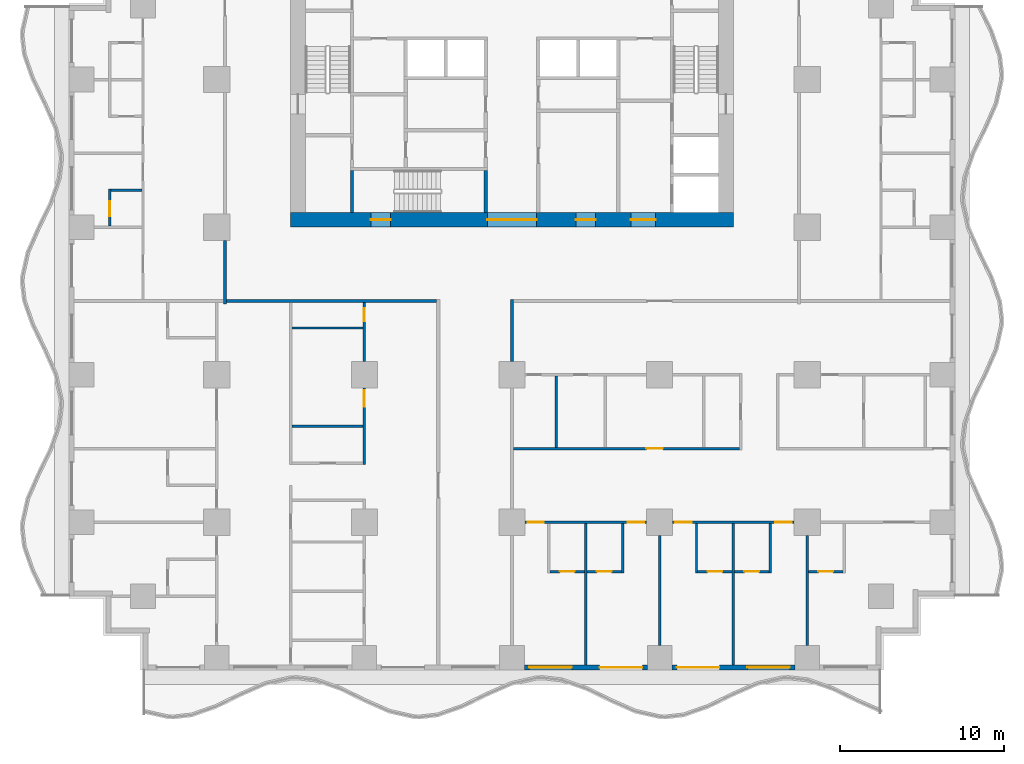
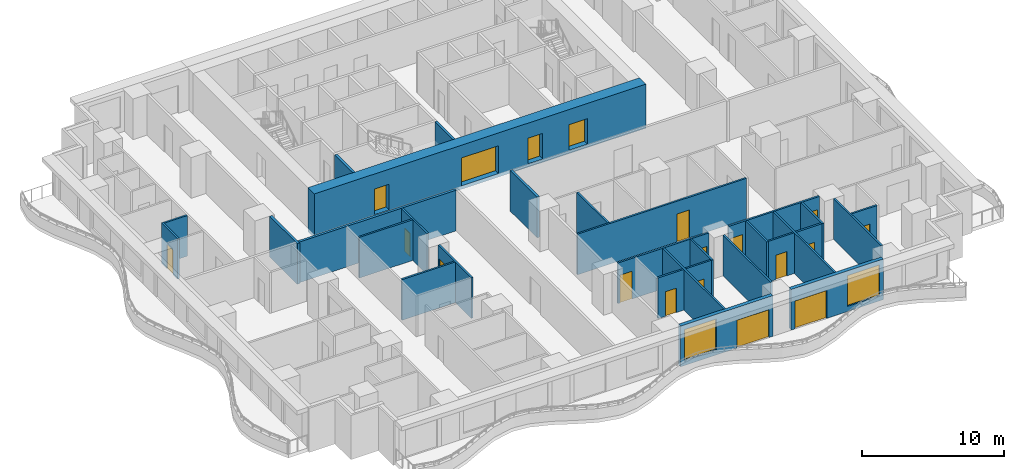
# One storey, part 3 of 14: 30 walls, 19 doors, 2 windows, 21 openings.
"""IFC4 building model written with IfcOpenShell, lengths in metres."""

from ifc_helpers import new_model, si_unit, direction, frame, frame_2d, origin, place, context, subcontext, project, spatial, rectangle, extrude, material, layer, layer_set, type_object, element, fill, save


model = new_model("IFC4")

# Units and contexts
model_context = context("Model", 3, precision=1e-05, world=origin(), true_north=direction((0.0, 1.0)))
body_context = subcontext(model_context, "Body", "Model", "MODEL_VIEW")
ifc_project = project(units=[si_unit("LENGTHUNIT", "METRE"), si_unit("AREAUNIT", "SQUARE_METRE"), si_unit("VOLUMEUNIT", "CUBIC_METRE"), si_unit("PLANEANGLEUNIT", "RADIAN"), si_unit("MASSUNIT", "GRAM", prefix="KILO")], contexts=[model_context])

# Site, building, storey
site_placement = place(None, origin())
site = spatial("IfcSite", under=ifc_project, at=site_placement, CompositionType="ELEMENT")
building_placement = place(site_placement, origin())
building = spatial("IfcBuilding", under=site, at=building_placement, Name="Orbiselva Terraces", CompositionType="ELEMENT")
storey_placement = place(building_placement, frame((0.0, 0.0, 18.8)))
storey = spatial("IfcBuildingStorey", under=building, at=storey_placement, Name="L04", CompositionType="ELEMENT", Elevation=18.8)

# Wall, openings, doors
ifc_material_1 = material(Name="Concrete C80/95", Category="concrete")
ifc_layer_1 = layer(ifc_material_1, 0.9)
ifc_layer_set_1 = layer_set([ifc_layer_1], Name="Concrete C80/95")
wall_type_1 = type_object("IfcWallType", Name="CORE WALL 900", PredefinedType="SHEAR", material=ifc_layer_set_1)
wall_1_placement = place(storey_placement, frame((-13.5, 4.95, -0.3), z_axis=(0.0, 0.0, 1.0), x_axis=(1.0, 0.0, 0.0)))
wall_1 = element("IfcWall", 1, at=wall_1_placement, inside=storey, type_object=wall_type_1, Name="Core wall L04 south", PredefinedType="SHEAR", context=body_context, shape_type="SweptSolid", body=[
    extrude(rectangle(XDim=27.0, YDim=0.9, at=frame_2d((13.5, 0.0))), origin(), (0.0, 0.0, 1.0), 3.8),
])
opening_1_placement = place(wall_1_placement, frame((12.0, 0.0, 0.3)))
opening_1 = element("IfcOpeningElement", 2, at=opening_1_placement, cuts=wall_1, Name="Opening DL3000", PredefinedType="OPENING", context=body_context, shape_type="SweptSolid", body=[
    extrude(rectangle(XDim=3.0, YDim=2.4, at=frame_2d((1.5, 1.2))), frame((0.0, 0.46, 0.0), z_axis=(0.0, -1.0, 0.0), x_axis=(1.0, 0.0, 0.0)), (0.0, 0.0, 1.0), 0.92),
])
opening_2_placement = place(wall_1_placement, frame((4.9, 0.0, 0.3)))
opening_2 = element("IfcOpeningElement", 3, at=opening_2_placement, cuts=wall_1, Name="Opening DS1200", PredefinedType="OPENING", context=body_context, shape_type="SweptSolid", body=[
    extrude(rectangle(XDim=1.2, YDim=2.2, at=frame_2d((0.6, 1.1))), frame((0.0, 0.46, 0.0), z_axis=(0.0, -1.0, 0.0), x_axis=(1.0, 0.0, 0.0)), (0.0, 0.0, 1.0), 0.92),
])
opening_3_placement = place(wall_1_placement, frame((20.75, 0.0, 0.3)))
opening_3 = element("IfcOpeningElement", 4, at=opening_3_placement, cuts=wall_1, Name="Opening DF1500", PredefinedType="OPENING", context=body_context, shape_type="SweptSolid", body=[
    extrude(rectangle(XDim=1.5, YDim=2.2, at=frame_2d((0.75, 1.1))), frame((0.0, 0.46, 0.0), z_axis=(0.0, -1.0, 0.0), x_axis=(1.0, 0.0, 0.0)), (0.0, 0.0, 1.0), 0.92),
])
opening_4_placement = place(wall_1_placement, frame((17.4, 0.0, 0.3)))
opening_4 = element("IfcOpeningElement", 5, at=opening_4_placement, cuts=wall_1, Name="Opening DV1200", PredefinedType="OPENING", context=body_context, shape_type="SweptSolid", body=[
    extrude(rectangle(XDim=1.2, YDim=2.2, at=frame_2d((0.6, 1.1))), frame((0.0, 0.46, 0.0), z_axis=(0.0, -1.0, 0.0), x_axis=(1.0, 0.0, 0.0)), (0.0, 0.0, 1.0), 0.92),
])
ifc_material_2 = material(Name="Steel fire door", Category="steel")
door_type_1 = type_object("IfcDoorType", Name="FFL DOOR 1500", OperationType="DOUBLE_DOOR_SINGLE_SWING", PredefinedType="DOOR", material=ifc_material_2)
door_1_placement = place(opening_3_placement, frame((1.5, 0.0, 0.0), z_axis=(0.0, 0.0, 1.0), x_axis=(-1.0, 0.0, 0.0)))
door_1 = element("IfcDoor", 6, at=door_1_placement, inside=storey, type_object=door_type_1, Name="L04 FIRE-FIGHTING LOBBY door", OperationType="DOUBLE_DOOR_SINGLE_SWING", OverallHeight=2.2, OverallWidth=1.5, PredefinedType="DOOR", context=body_context, shape_type="SweptSolid", body=[
    extrude(rectangle(XDim=1.5, YDim=2.2, at=frame_2d((0.75, 1.1))), frame((0.0, 0.025, 0.0), z_axis=(0.0, -1.0, 0.0), x_axis=(1.0, 0.0, 0.0)), (0.0, 0.0, 1.0), 0.05),
])
fill(opening_3, door_1)
door_type_2 = type_object("IfcDoorType", Name="LOBBY DOOR 3000", OperationType="DOUBLE_DOOR_SINGLE_SWING", PredefinedType="DOOR", material=ifc_material_2)
door_2_placement = place(opening_1_placement, frame((3.0, 0.0, 0.0), z_axis=(0.0, 0.0, 1.0), x_axis=(-1.0, 0.0, 0.0)))
door_2 = element("IfcDoor", 7, at=door_2_placement, inside=storey, type_object=door_type_2, Name="L04 LIFT LOBBY door", OperationType="DOUBLE_DOOR_SINGLE_SWING", OverallHeight=2.4, OverallWidth=3.0, PredefinedType="DOOR", context=body_context, shape_type="SweptSolid", body=[
    extrude(rectangle(XDim=3.0, YDim=2.4, at=frame_2d((1.5, 1.2))), frame((0.0, 0.025, 0.0), z_axis=(0.0, -1.0, 0.0), x_axis=(1.0, 0.0, 0.0)), (0.0, 0.0, 1.0), 0.05),
])
fill(opening_1, door_2)
door_type_3 = type_object("IfcDoorType", Name="SERVICE DOOR 1200", OperationType="NOTDEFINED", PredefinedType="DOOR", material=ifc_material_2)
door_3_placement = place(opening_4_placement, frame((1.2, 0.0, 0.0), z_axis=(0.0, 0.0, 1.0), x_axis=(-1.0, 0.0, 0.0)))
door_3 = element("IfcDoor", 8, at=door_3_placement, inside=storey, type_object=door_type_3, Name="L04 SERVICE ROOM door", OperationType="SINGLE_SWING_RIGHT", OverallHeight=2.2, OverallWidth=1.2, PredefinedType="DOOR", context=body_context, shape_type="SweptSolid", body=[
    extrude(rectangle(XDim=1.2, YDim=2.2, at=frame_2d((0.6, 1.1))), frame((0.0, 0.025, 0.0), z_axis=(0.0, -1.0, 0.0), x_axis=(1.0, 0.0, 0.0)), (0.0, 0.0, 1.0), 0.05),
])
fill(opening_4, door_3)
door_type_4 = type_object("IfcDoorType", Name="STAIR DOOR 1200", OperationType="NOTDEFINED", PredefinedType="DOOR", material=ifc_material_2)
door_4_placement = place(opening_2_placement, frame((1.2, 0.0, 0.0), z_axis=(0.0, 0.0, 1.0), x_axis=(-1.0, 0.0, 0.0)))
door_4 = element("IfcDoor", 9, at=door_4_placement, inside=storey, type_object=door_type_4, Name="L04 EXIT STAIR S3 door", OperationType="SINGLE_SWING_LEFT", OverallHeight=2.2, OverallWidth=1.2, PredefinedType="DOOR", context=body_context, shape_type="SweptSolid", body=[
    extrude(rectangle(XDim=1.2, YDim=2.2, at=frame_2d((0.6, 1.1))), frame((0.0, 0.025, 0.0), z_axis=(0.0, -1.0, 0.0), x_axis=(1.0, 0.0, 0.0)), (0.0, 0.0, 1.0), 0.05),
])
fill(opening_2, door_4)

# Walls
ifc_material_3 = material(Name="Concrete C60/75", Category="concrete")
ifc_layer_2 = layer(ifc_material_3, 0.2)
ifc_layer_set_2 = layer_set([ifc_layer_2], Name="Concrete C60/75")
wall_type_2 = type_object("IfcWallType", Name="CORE-WALL-SHEAR-200", PredefinedType="SHEAR", material=ifc_layer_set_2)
for number, where, z_axis, x_axis, name in (
    (10, (-9.75, 5.4, 0.0), (0.0, 0.0, 1.0), (0.0, 1.0, 0.0), "L04 core wall 03"),
    (11, (-1.6, 5.4, 0.0), (0.0, 0.0, 1.0), (0.0, 1.0, 0.0), "L04 core wall 24"),
):
    element("IfcWall", number, at=place(storey_placement, frame(where, z_axis=z_axis, x_axis=x_axis)), inside=storey, type_object=wall_type_2, Name=name, PredefinedType="SHEAR", context=body_context, shape_type="SweptSolid", body=[
        extrude(rectangle(XDim=2.55, YDim=0.2, at=frame_2d((1.275, 0.0))), origin(), (0.0, 0.0, 1.0), 3.5),
    ])

# Wall, openings, door, window
ifc_material_4 = material(Name="Terracotta cladding on masonry backing", Category="masonry")
ifc_layer_3 = layer(ifc_material_4, 0.3)
ifc_layer_set_3 = layer_set([ifc_layer_3], Name="Terracotta cladding on masonry backing")
wall_type_3 = type_object("IfcWallType", Name="ENV-WALL-TERRACOTTA-300", PredefinedType="SOLIDWALL", material=ifc_layer_set_3)
wall_2_placement = place(storey_placement, frame((8.25, -22.35, 0.0), z_axis=(0.0, 0.0, 1.0), x_axis=(-1.0, 0.0, 0.0)))
wall_2 = element("IfcWall", 12, at=wall_2_placement, inside=storey, type_object=wall_type_3, Name="Facade wall L04 S", PredefinedType="SOLIDWALL", context=body_context, shape_type="SweptSolid", body=[
    extrude(rectangle(XDim=7.5, YDim=0.3, at=frame_2d((3.75, 0.0))), origin(), (0.0, 0.0, 1.0), 3.5),
])
opening_5_placement = place(wall_2_placement, frame((4.6, 0.0, 0.45)))
opening_5 = element("IfcOpeningElement", 13, at=opening_5_placement, cuts=wall_2, Name="Opening WN1", PredefinedType="OPENING", context=body_context, shape_type="SweptSolid", body=[
    extrude(rectangle(XDim=2.6, YDim=2.65, at=frame_2d((1.3, 1.325))), frame((0.0, 0.16, 0.0), z_axis=(0.0, -1.0, 0.0), x_axis=(1.0, 0.0, 0.0)), (0.0, 0.0, 1.0), 0.32),
])
opening_6_placement = place(wall_2_placement, frame((0.3, 0.0, 0.0)))
opening_6 = element("IfcOpeningElement", 14, at=opening_6_placement, cuts=wall_2, Name="Opening Z1-A-E13", PredefinedType="OPENING", context=body_context, shape_type="SweptSolid", body=[
    extrude(rectangle(XDim=2.6, YDim=2.4, at=frame_2d((1.3, 1.2))), frame((0.0, 0.16, 0.0), z_axis=(0.0, -1.0, 0.0), x_axis=(1.0, 0.0, 0.0)), (0.0, 0.0, 1.0), 0.32),
])
ifc_material_5 = material(Name="Clear low-e glazing in aluminium frame", Category="aluminium")
door_type_5 = type_object("IfcDoorType", Name="BALCONY DOOR 2600 X 2400", OperationType="DOUBLE_DOOR_SLIDING", PredefinedType="DOOR", material=ifc_material_5)
door_5_placement = place(opening_6_placement, origin())
door_5 = element("IfcDoor", 15, at=door_5_placement, inside=storey, type_object=door_type_5, Name="Z1-A-E13", OperationType="SINGLE_SWING_LEFT", OverallHeight=2.4, OverallWidth=2.6, PredefinedType="DOOR", context=body_context, shape_type="SweptSolid", body=[
    extrude(rectangle(XDim=2.6, YDim=2.4, at=frame_2d((1.3, 1.2))), frame((0.0, 0.025, 0.0), z_axis=(0.0, -1.0, 0.0), x_axis=(1.0, 0.0, 0.0)), (0.0, 0.0, 1.0), 0.05),
])
fill(opening_6, door_5)
window_type = type_object("IfcWindowType", Name="WINDOW 2600 X 2650 S450", PartitioningType="TRIPLE_PANEL_VERTICAL", PredefinedType="WINDOW", material=ifc_material_5)
window_1_placement = place(opening_5_placement, origin())
window_1 = element("IfcWindow", 16, at=window_1_placement, inside=storey, type_object=window_type, Name="Window L04 S", OverallHeight=2.65, OverallWidth=2.6, PartitioningType="SINGLE_PANEL", PredefinedType="WINDOW", context=body_context, shape_type="SweptSolid", body=[
    extrude(rectangle(XDim=2.6, YDim=2.65, at=frame_2d((1.3, 1.325))), frame((0.0, 0.03, 0.0), z_axis=(0.0, -1.0, 0.0), x_axis=(1.0, 0.0, 0.0)), (0.0, 0.0, 1.0), 0.06),
])
fill(opening_5, window_1)

wall_3_placement = place(storey_placement, frame((17.25, -22.35, 0.0), z_axis=(0.0, 0.0, 1.0), x_axis=(-1.0, 0.0, 0.0)))
wall_3 = element("IfcWall", 17, at=wall_3_placement, inside=storey, type_object=wall_type_3, Name="Facade wall L04 S", PredefinedType="SOLIDWALL", context=body_context, shape_type="SweptSolid", body=[
    extrude(rectangle(XDim=7.5, YDim=0.3, at=frame_2d((3.75, 0.0))), origin(), (0.0, 0.0, 1.0), 3.5),
])
opening_7_placement = place(wall_3_placement, frame((4.6, 0.0, 0.0)))
opening_7 = element("IfcOpeningElement", 18, at=opening_7_placement, cuts=wall_3, Name="Opening Z1-A-E03", PredefinedType="OPENING", context=body_context, shape_type="SweptSolid", body=[
    extrude(rectangle(XDim=2.6, YDim=2.4, at=frame_2d((1.3, 1.2))), frame((0.0, 0.16, 0.0), z_axis=(0.0, -1.0, 0.0), x_axis=(1.0, 0.0, 0.0)), (0.0, 0.0, 1.0), 0.32),
])
opening_8_placement = place(wall_3_placement, frame((0.3, 0.0, 0.45)))
opening_8 = element("IfcOpeningElement", 19, at=opening_8_placement, cuts=wall_3, Name="Opening WN1", PredefinedType="OPENING", context=body_context, shape_type="SweptSolid", body=[
    extrude(rectangle(XDim=2.6, YDim=2.65, at=frame_2d((1.3, 1.325))), frame((0.0, 0.16, 0.0), z_axis=(0.0, -1.0, 0.0), x_axis=(1.0, 0.0, 0.0)), (0.0, 0.0, 1.0), 0.32),
])
door_6_placement = place(opening_7_placement, origin())
door_6 = element("IfcDoor", 20, at=door_6_placement, inside=storey, type_object=door_type_5, Name="Z1-A-E03", OperationType="SINGLE_SWING_LEFT", OverallHeight=2.4, OverallWidth=2.6, PredefinedType="DOOR", context=body_context, shape_type="SweptSolid", body=[
    extrude(rectangle(XDim=2.6, YDim=2.4, at=frame_2d((1.3, 1.2))), frame((0.0, 0.025, 0.0), z_axis=(0.0, -1.0, 0.0), x_axis=(1.0, 0.0, 0.0)), (0.0, 0.0, 1.0), 0.05),
])
fill(opening_7, door_6)
window_2_placement = place(opening_8_placement, origin())
window_2 = element("IfcWindow", 21, at=window_2_placement, inside=storey, type_object=window_type, Name="Window L04 S", OverallHeight=2.65, OverallWidth=2.6, PartitioningType="SINGLE_PANEL", PredefinedType="WINDOW", context=body_context, shape_type="SweptSolid", body=[
    extrude(rectangle(XDim=2.6, YDim=2.65, at=frame_2d((1.3, 1.325))), frame((0.0, 0.03, 0.0), z_axis=(0.0, -1.0, 0.0), x_axis=(1.0, 0.0, 0.0)), (0.0, 0.0, 1.0), 0.06),
])
fill(opening_8, window_2)

# Walls
ifc_material_6 = material(Name="Plasterboard on steel stud partition", Category="steel")
ifc_layer_4 = layer(ifc_material_6, 0.2)
ifc_layer_set_4 = layer_set([ifc_layer_4], Name="Plasterboard on steel stud partition")
wall_type_4 = type_object("IfcWallType", Name="UNIT-ENTRANCE-WALL-200", PredefinedType="PARTITIONING", material=ifc_layer_set_4)
wall_4_placement = place(storey_placement, frame((-17.4, 0.0, 0.0), z_axis=(0.0, 0.0, 1.0), x_axis=(1.0, 0.0, 0.0)))
element("IfcWall", 22, at=wall_4_placement, inside=storey, type_object=wall_type_4, Name="PARTITION L04-029", PredefinedType="PARTITIONING", context=body_context, shape_type="SweptSolid", body=[
    extrude(rectangle(XDim=12.8, YDim=0.2, at=frame_2d((6.4, 0.0))), origin(), (0.0, 0.0, 1.0), 3.5),
])
wall_5_placement = place(storey_placement, frame((-17.5, -0.2, 0.0), z_axis=(0.0, 0.0, 1.0), x_axis=(0.0, 1.0, 0.0)))
element("IfcWall", 23, at=wall_5_placement, inside=storey, type_object=wall_type_4, Name="PARTITION L04-057", PredefinedType="PARTITIONING", context=body_context, shape_type="SweptSolid", body=[
    extrude(rectangle(XDim=3.9, YDim=0.2, at=frame_2d((1.95, 0.0))), origin(), (0.0, 0.0, 1.0), 3.5),
])
wall_6_placement = place(storey_placement, frame((0.0, -3.7, 0.0), z_axis=(0.0, 0.0, 1.0), x_axis=(0.0, 1.0, 0.0)))
element("IfcWall", 24, at=wall_6_placement, inside=storey, type_object=wall_type_4, Name="PARTITION L04-069", PredefinedType="PARTITIONING", context=body_context, shape_type="SweptSolid", body=[
    extrude(rectangle(XDim=3.8, YDim=0.2, at=frame_2d((1.9, 0.0))), origin(), (0.0, 0.0, 1.0), 3.5),
])

# Wall, opening, door
ifc_layer_5 = layer(ifc_material_6, 0.15)
ifc_layer_set_5 = layer_set([ifc_layer_5], Name="Plasterboard on steel stud partition")
wall_type_5 = type_object("IfcWallType", Name="UNIT-PARTITION-150", PredefinedType="PARTITIONING", material=ifc_layer_set_5)
wall_7_placement = place(storey_placement, frame((2.325, -16.5, 0.0), z_axis=(0.0, 0.0, 1.0), x_axis=(1.0, 0.0, 0.0)))
wall_7 = element("IfcWall", 25, at=wall_7_placement, inside=storey, type_object=wall_type_5, Name="PARTITION L04-005", PredefinedType="PARTITIONING", context=body_context, shape_type="SweptSolid", body=[
    extrude(rectangle(XDim=2.1, YDim=0.15, at=frame_2d((1.05, 0.0))), origin(), (0.0, 0.0, 1.0), 3.5),
])
opening_9_placement = place(wall_7_placement, frame((0.6, 0.0, 0.0)))
opening_9 = element("IfcOpeningElement", 26, at=opening_9_placement, cuts=wall_7, Name="Opening Z1-A-41", PredefinedType="OPENING", context=body_context, shape_type="SweptSolid", body=[
    extrude(rectangle(XDim=0.9, YDim=2.1, at=frame_2d((0.45, 1.05))), frame((0.0, 0.085, 0.0), z_axis=(0.0, -1.0, 0.0), x_axis=(1.0, 0.0, 0.0)), (0.0, 0.0, 1.0), 0.17),
])
ifc_material_7 = material(Name="Painted timber door leaf", Category="wood")
door_type_6 = type_object("IfcDoorType", Name="BATH DOOR 900", OperationType="NOTDEFINED", PredefinedType="DOOR", material=ifc_material_7)
door_7_placement = place(opening_9_placement, origin())
door_7 = element("IfcDoor", 27, at=door_7_placement, inside=storey, type_object=door_type_6, Name="Z1-A-41", OperationType="SINGLE_SWING_RIGHT", OverallHeight=2.1, OverallWidth=0.9, PredefinedType="DOOR", context=body_context, shape_type="SweptSolid", body=[
    extrude(rectangle(XDim=0.9, YDim=2.1, at=frame_2d((0.45, 1.05))), frame((0.0, 0.025, 0.0), z_axis=(0.0, -1.0, 0.0), x_axis=(1.0, 0.0, 0.0)), (0.0, 0.0, 1.0), 0.05),
])
fill(opening_9, door_7)

wall_8_placement = place(storey_placement, frame((4.575, -16.5, 0.0), z_axis=(0.0, 0.0, 1.0), x_axis=(1.0, 0.0, 0.0)))
wall_8 = element("IfcWall", 28, at=wall_8_placement, inside=storey, type_object=wall_type_5, Name="PARTITION L04-006", PredefinedType="PARTITIONING", context=body_context, shape_type="SweptSolid", body=[
    extrude(rectangle(XDim=2.1, YDim=0.15, at=frame_2d((1.05, 0.0))), origin(), (0.0, 0.0, 1.0), 3.5),
])
opening_10_placement = place(wall_8_placement, frame((0.6, 0.0, 0.0)))
opening_10 = element("IfcOpeningElement", 29, at=opening_10_placement, cuts=wall_8, Name="Opening Z1-A-43", PredefinedType="OPENING", context=body_context, shape_type="SweptSolid", body=[
    extrude(rectangle(XDim=0.9, YDim=2.1, at=frame_2d((0.45, 1.05))), frame((0.0, 0.085, 0.0), z_axis=(0.0, -1.0, 0.0), x_axis=(1.0, 0.0, 0.0)), (0.0, 0.0, 1.0), 0.17),
])
door_8_placement = place(opening_10_placement, origin())
door_8 = element("IfcDoor", 30, at=door_8_placement, inside=storey, type_object=door_type_6, Name="Z1-A-43", OperationType="SINGLE_SWING_LEFT", OverallHeight=2.1, OverallWidth=0.9, PredefinedType="DOOR", context=body_context, shape_type="SweptSolid", body=[
    extrude(rectangle(XDim=0.9, YDim=2.1, at=frame_2d((0.45, 1.05))), frame((0.0, 0.025, 0.0), z_axis=(0.0, -1.0, 0.0), x_axis=(1.0, 0.0, 0.0)), (0.0, 0.0, 1.0), 0.05),
])
fill(opening_10, door_8)

wall_9_placement = place(storey_placement, frame((11.325, -16.5, 0.0), z_axis=(0.0, 0.0, 1.0), x_axis=(1.0, 0.0, 0.0)))
wall_9 = element("IfcWall", 31, at=wall_9_placement, inside=storey, type_object=wall_type_5, Name="PARTITION L04-007", PredefinedType="PARTITIONING", context=body_context, shape_type="SweptSolid", body=[
    extrude(rectangle(XDim=2.1, YDim=0.15, at=frame_2d((1.05, 0.0))), origin(), (0.0, 0.0, 1.0), 3.5),
])
opening_11_placement = place(wall_9_placement, frame((0.6, 0.0, 0.0)))
opening_11 = element("IfcOpeningElement", 32, at=opening_11_placement, cuts=wall_9, Name="Opening Z1-A-45", PredefinedType="OPENING", context=body_context, shape_type="SweptSolid", body=[
    extrude(rectangle(XDim=0.9, YDim=2.1, at=frame_2d((0.45, 1.05))), frame((0.0, 0.085, 0.0), z_axis=(0.0, -1.0, 0.0), x_axis=(1.0, 0.0, 0.0)), (0.0, 0.0, 1.0), 0.17),
])
door_9_placement = place(opening_11_placement, origin())
door_9 = element("IfcDoor", 33, at=door_9_placement, inside=storey, type_object=door_type_6, Name="Z1-A-45", OperationType="SINGLE_SWING_LEFT", OverallHeight=2.1, OverallWidth=0.9, PredefinedType="DOOR", context=body_context, shape_type="SweptSolid", body=[
    extrude(rectangle(XDim=0.9, YDim=2.1, at=frame_2d((0.45, 1.05))), frame((0.0, 0.025, 0.0), z_axis=(0.0, -1.0, 0.0), x_axis=(1.0, 0.0, 0.0)), (0.0, 0.0, 1.0), 0.05),
])
fill(opening_11, door_9)

wall_10_placement = place(storey_placement, frame((13.575, -16.5, 0.0), z_axis=(0.0, 0.0, 1.0), x_axis=(1.0, 0.0, 0.0)))
wall_10 = element("IfcWall", 34, at=wall_10_placement, inside=storey, type_object=wall_type_5, Name="PARTITION L04-008", PredefinedType="PARTITIONING", context=body_context, shape_type="SweptSolid", body=[
    extrude(rectangle(XDim=2.1, YDim=0.15, at=frame_2d((1.05, 0.0))), origin(), (0.0, 0.0, 1.0), 3.5),
])
opening_12_placement = place(wall_10_placement, frame((0.6, 0.0, 0.0)))
opening_12 = element("IfcOpeningElement", 35, at=opening_12_placement, cuts=wall_10, Name="Opening Z1-A-47", PredefinedType="OPENING", context=body_context, shape_type="SweptSolid", body=[
    extrude(rectangle(XDim=0.9, YDim=2.1, at=frame_2d((0.45, 1.05))), frame((0.0, 0.085, 0.0), z_axis=(0.0, -1.0, 0.0), x_axis=(1.0, 0.0, 0.0)), (0.0, 0.0, 1.0), 0.17),
])
door_10_placement = place(opening_12_placement, origin())
door_10 = element("IfcDoor", 36, at=door_10_placement, inside=storey, type_object=door_type_6, Name="Z1-A-47", OperationType="SINGLE_SWING_LEFT", OverallHeight=2.1, OverallWidth=0.9, PredefinedType="DOOR", context=body_context, shape_type="SweptSolid", body=[
    extrude(rectangle(XDim=0.9, YDim=2.1, at=frame_2d((0.45, 1.05))), frame((0.0, 0.025, 0.0), z_axis=(0.0, -1.0, 0.0), x_axis=(1.0, 0.0, 0.0)), (0.0, 0.0, 1.0), 0.05),
])
fill(opening_12, door_10)

wall_11_placement = place(storey_placement, frame((18.075, -16.5, 0.0), z_axis=(0.0, 0.0, 1.0), x_axis=(1.0, 0.0, 0.0)))
wall_11 = element("IfcWall", 37, at=wall_11_placement, inside=storey, type_object=wall_type_5, Name="PARTITION L04-009", PredefinedType="PARTITIONING", context=body_context, shape_type="SweptSolid", body=[
    extrude(rectangle(XDim=2.1, YDim=0.15, at=frame_2d((1.05, 0.0))), origin(), (0.0, 0.0, 1.0), 3.5),
])
opening_13_placement = place(wall_11_placement, frame((0.6, 0.0, 0.0)))
opening_13 = element("IfcOpeningElement", 38, at=opening_13_placement, cuts=wall_11, Name="Opening Z1-A-49", PredefinedType="OPENING", context=body_context, shape_type="SweptSolid", body=[
    extrude(rectangle(XDim=0.9, YDim=2.1, at=frame_2d((0.45, 1.05))), frame((0.0, 0.085, 0.0), z_axis=(0.0, -1.0, 0.0), x_axis=(1.0, 0.0, 0.0)), (0.0, 0.0, 1.0), 0.17),
])
door_11_placement = place(opening_13_placement, origin())
door_11 = element("IfcDoor", 39, at=door_11_placement, inside=storey, type_object=door_type_6, Name="Z1-A-49", OperationType="SINGLE_SWING_LEFT", OverallHeight=2.1, OverallWidth=0.9, PredefinedType="DOOR", context=body_context, shape_type="SweptSolid", body=[
    extrude(rectangle(XDim=0.9, YDim=2.1, at=frame_2d((0.45, 1.05))), frame((0.0, 0.025, 0.0), z_axis=(0.0, -1.0, 0.0), x_axis=(1.0, 0.0, 0.0)), (0.0, 0.0, 1.0), 0.05),
])
fill(opening_13, door_11)

# Wall, openings, doors
wall_12_placement = place(storey_placement, frame((8.2, -13.5, 0.0), z_axis=(0.0, 0.0, 1.0), x_axis=(-1.0, 0.0, 0.0)))
wall_12 = element("IfcWall", 40, at=wall_12_placement, inside=storey, type_object=wall_type_5, Name="PARTITION L04-013", PredefinedType="PARTITIONING", context=body_context, shape_type="SweptSolid", body=[
    extrude(rectangle(XDim=7.4, YDim=0.15, at=frame_2d((3.7, 0.0))), origin(), (0.0, 0.0, 1.0), 3.5),
])
opening_14_placement = place(wall_12_placement, frame((6.25, 0.0, 0.0)))
opening_14 = element("IfcOpeningElement", 41, at=opening_14_placement, cuts=wall_12, Name="Opening Z1-A-40", PredefinedType="OPENING", context=body_context, shape_type="SweptSolid", body=[
    extrude(rectangle(XDim=1.0, YDim=2.4, at=frame_2d((0.5, 1.2))), frame((0.0, 0.085, 0.0), z_axis=(0.0, -1.0, 0.0), x_axis=(1.0, 0.0, 0.0)), (0.0, 0.0, 1.0), 0.17),
])
opening_15_placement = place(wall_12_placement, frame((0.15, 0.0, 0.0)))
opening_15 = element("IfcOpeningElement", 42, at=opening_15_placement, cuts=wall_12, Name="Opening Z1-A-42", PredefinedType="OPENING", context=body_context, shape_type="SweptSolid", body=[
    extrude(rectangle(XDim=1.0, YDim=2.4, at=frame_2d((0.5, 1.2))), frame((0.0, 0.085, 0.0), z_axis=(0.0, -1.0, 0.0), x_axis=(1.0, 0.0, 0.0)), (0.0, 0.0, 1.0), 0.17),
])
door_type_7 = type_object("IfcDoorType", Name="ROOM DOOR 1000", OperationType="NOTDEFINED", PredefinedType="DOOR", material=ifc_material_7)
door_12_placement = place(opening_14_placement, origin())
door_12 = element("IfcDoor", 43, at=door_12_placement, inside=storey, type_object=door_type_7, Name="Z1-A-40", OperationType="SINGLE_SWING_RIGHT", OverallHeight=2.4, OverallWidth=1.0, PredefinedType="DOOR", context=body_context, shape_type="SweptSolid", body=[
    extrude(rectangle(XDim=1.0, YDim=2.4, at=frame_2d((0.5, 1.2))), frame((0.0, 0.025, 0.0), z_axis=(0.0, -1.0, 0.0), x_axis=(1.0, 0.0, 0.0)), (0.0, 0.0, 1.0), 0.05),
])
fill(opening_14, door_12)
door_13_placement = place(opening_15_placement, origin())
door_13 = element("IfcDoor", 44, at=door_13_placement, inside=storey, type_object=door_type_7, Name="Z1-A-42", OperationType="SINGLE_SWING_LEFT", OverallHeight=2.4, OverallWidth=1.0, PredefinedType="DOOR", context=body_context, shape_type="SweptSolid", body=[
    extrude(rectangle(XDim=1.0, YDim=2.4, at=frame_2d((0.5, 1.2))), frame((0.0, 0.025, 0.0), z_axis=(0.0, -1.0, 0.0), x_axis=(1.0, 0.0, 0.0)), (0.0, 0.0, 1.0), 0.05),
])
fill(opening_15, door_13)

wall_13_placement = place(storey_placement, frame((17.2, -13.5, 0.0), z_axis=(0.0, 0.0, 1.0), x_axis=(-1.0, 0.0, 0.0)))
wall_13 = element("IfcWall", 45, at=wall_13_placement, inside=storey, type_object=wall_type_5, Name="PARTITION L04-014", PredefinedType="PARTITIONING", context=body_context, shape_type="SweptSolid", body=[
    extrude(rectangle(XDim=7.4, YDim=0.15, at=frame_2d((3.7, 0.0))), origin(), (0.0, 0.0, 1.0), 3.5),
])
opening_16_placement = place(wall_13_placement, frame((6.25, 0.0, 0.0)))
opening_16 = element("IfcOpeningElement", 46, at=opening_16_placement, cuts=wall_13, Name="Opening Z1-A-44", PredefinedType="OPENING", context=body_context, shape_type="SweptSolid", body=[
    extrude(rectangle(XDim=1.0, YDim=2.4, at=frame_2d((0.5, 1.2))), frame((0.0, 0.085, 0.0), z_axis=(0.0, -1.0, 0.0), x_axis=(1.0, 0.0, 0.0)), (0.0, 0.0, 1.0), 0.17),
])
opening_17_placement = place(wall_13_placement, frame((0.15, 0.0, 0.0)))
opening_17 = element("IfcOpeningElement", 47, at=opening_17_placement, cuts=wall_13, Name="Opening Z1-A-46", PredefinedType="OPENING", context=body_context, shape_type="SweptSolid", body=[
    extrude(rectangle(XDim=1.0, YDim=2.4, at=frame_2d((0.5, 1.2))), frame((0.0, 0.085, 0.0), z_axis=(0.0, -1.0, 0.0), x_axis=(1.0, 0.0, 0.0)), (0.0, 0.0, 1.0), 0.17),
])
door_14_placement = place(opening_16_placement, origin())
door_14 = element("IfcDoor", 48, at=door_14_placement, inside=storey, type_object=door_type_7, Name="Z1-A-44", OperationType="SINGLE_SWING_RIGHT", OverallHeight=2.4, OverallWidth=1.0, PredefinedType="DOOR", context=body_context, shape_type="SweptSolid", body=[
    extrude(rectangle(XDim=1.0, YDim=2.4, at=frame_2d((0.5, 1.2))), frame((0.0, 0.025, 0.0), z_axis=(0.0, -1.0, 0.0), x_axis=(1.0, 0.0, 0.0)), (0.0, 0.0, 1.0), 0.05),
])
fill(opening_16, door_14)
door_15_placement = place(opening_17_placement, origin())
door_15 = element("IfcDoor", 49, at=door_15_placement, inside=storey, type_object=door_type_7, Name="Z1-A-46", OperationType="SINGLE_SWING_LEFT", OverallHeight=2.4, OverallWidth=1.0, PredefinedType="DOOR", context=body_context, shape_type="SweptSolid", body=[
    extrude(rectangle(XDim=1.0, YDim=2.4, at=frame_2d((0.5, 1.2))), frame((0.0, 0.025, 0.0), z_axis=(0.0, -1.0, 0.0), x_axis=(1.0, 0.0, 0.0)), (0.0, 0.0, 1.0), 0.05),
])
fill(opening_17, door_15)

# Wall, opening, door
wall_14_placement = place(storey_placement, frame((0.1, -9.0, 0.0), z_axis=(0.0, 0.0, 1.0), x_axis=(1.0, 0.0, 0.0)))
wall_14 = element("IfcWall", 50, at=wall_14_placement, inside=storey, type_object=wall_type_5, Name="PARTITION L04-020", PredefinedType="PARTITIONING", context=body_context, shape_type="SweptSolid", body=[
    extrude(rectangle(XDim=13.775, YDim=0.15, at=frame_2d((6.8875, 0.0))), origin(), (0.0, 0.0, 1.0), 3.5),
])
opening_18_placement = place(wall_14_placement, frame((8.1, 0.0, 0.0)))
opening_18 = element("IfcOpeningElement", 51, at=opening_18_placement, cuts=wall_14, Name="Opening Z1-A-35", PredefinedType="OPENING", context=body_context, shape_type="SweptSolid", body=[
    extrude(rectangle(XDim=1.0, YDim=2.4, at=frame_2d((0.5, 1.2))), frame((0.0, 0.085, 0.0), z_axis=(0.0, -1.0, 0.0), x_axis=(1.0, 0.0, 0.0)), (0.0, 0.0, 1.0), 0.17),
])
door_16_placement = place(opening_18_placement, origin())
door_16 = element("IfcDoor", 52, at=door_16_placement, inside=storey, type_object=door_type_7, Name="Z1-A-35", OperationType="SINGLE_SWING_RIGHT", OverallHeight=2.4, OverallWidth=1.0, PredefinedType="DOOR", context=body_context, shape_type="SweptSolid", body=[
    extrude(rectangle(XDim=1.0, YDim=2.4, at=frame_2d((0.5, 1.2))), frame((0.0, 0.025, 0.0), z_axis=(0.0, -1.0, 0.0), x_axis=(1.0, 0.0, 0.0)), (0.0, 0.0, 1.0), 0.05),
])
fill(opening_18, door_16)

# Walls
for number, where, z_axis, x_axis, name in (
    (53, (-13.425, -7.65, 0.0), (0.0, 0.0, 1.0), (1.0, 0.0, 0.0), "PARTITION L04-022"),
    (54, (-13.425, -1.65, 0.0), (0.0, 0.0, 1.0), (1.0, 0.0, 0.0), "PARTITION L04-028"),
):
    element("IfcWall", number, at=place(storey_placement, frame(where, z_axis=z_axis, x_axis=x_axis)), inside=storey, type_object=wall_type_5, Name=name, PredefinedType="PARTITIONING", context=body_context, shape_type="SweptSolid", body=[
        extrude(rectangle(XDim=4.35, YDim=0.15, at=frame_2d((2.175, 0.0))), origin(), (0.0, 0.0, 1.0), 3.5),
    ])
wall_15_placement = place(storey_placement, frame((-24.45, 6.75, 0.0), z_axis=(0.0, 0.0, 1.0), x_axis=(1.0, 0.0, 0.0)))
element("IfcWall", 55, at=wall_15_placement, inside=storey, type_object=wall_type_5, Name="PARTITION L04-035", PredefinedType="PARTITIONING", context=body_context, shape_type="SweptSolid", body=[
    extrude(rectangle(XDim=1.875, YDim=0.15, at=frame_2d((0.9375, 0.0))), origin(), (0.0, 0.0, 1.0), 3.5),
])

# Wall, opening, door
wall_16_placement = place(storey_placement, frame((-24.525, 6.825, 0.0), z_axis=(0.0, 0.0, 1.0), x_axis=(0.0, -1.0, 0.0)))
wall_16 = element("IfcWall", 56, at=wall_16_placement, inside=storey, type_object=wall_type_5, Name="PARTITION L04-047", PredefinedType="PARTITIONING", context=body_context, shape_type="SweptSolid", body=[
    extrude(rectangle(XDim=2.25, YDim=0.15, at=frame_2d((1.125, 0.0))), origin(), (0.0, 0.0, 1.0), 3.5),
])
opening_19_placement = place(wall_16_placement, frame((0.75, 0.0, 0.0)))
opening_19 = element("IfcOpeningElement", 57, at=opening_19_placement, cuts=wall_16, Name="Opening Z1-A-04", PredefinedType="OPENING", context=body_context, shape_type="SweptSolid", body=[
    extrude(rectangle(XDim=0.9, YDim=2.1, at=frame_2d((0.45, 1.05))), frame((0.0, 0.085, 0.0), z_axis=(0.0, -1.0, 0.0), x_axis=(1.0, 0.0, 0.0)), (0.0, 0.0, 1.0), 0.17),
])
door_17_placement = place(opening_19_placement, origin())
door_17 = element("IfcDoor", 58, at=door_17_placement, inside=storey, type_object=door_type_6, Name="Z1-A-04", OperationType="SINGLE_SWING_RIGHT", OverallHeight=2.1, OverallWidth=0.9, PredefinedType="DOOR", context=body_context, shape_type="SweptSolid", body=[
    extrude(rectangle(XDim=0.9, YDim=2.1, at=frame_2d((0.45, 1.05))), frame((0.0, 0.025, 0.0), z_axis=(0.0, -1.0, 0.0), x_axis=(1.0, 0.0, 0.0)), (0.0, 0.0, 1.0), 0.05),
])
fill(opening_19, door_17)

wall_17_placement = place(storey_placement, frame((-9.0, -9.975, 0.0), z_axis=(0.0, 0.0, 1.0), x_axis=(0.0, 1.0, 0.0)))
wall_17 = element("IfcWall", 59, at=wall_17_placement, inside=storey, type_object=wall_type_5, Name="PARTITION L04-064", PredefinedType="PARTITIONING", context=body_context, shape_type="SweptSolid", body=[
    extrude(rectangle(XDim=4.675, YDim=0.15, at=frame_2d((2.3375, 0.0))), origin(), (0.0, 0.0, 1.0), 3.5),
])
opening_20_placement = place(wall_17_placement, frame((3.525, 0.0, 0.0)))
opening_20 = element("IfcOpeningElement", 60, at=opening_20_placement, cuts=wall_17, Name="Opening Z1-A-19", PredefinedType="OPENING", context=body_context, shape_type="SweptSolid", body=[
    extrude(rectangle(XDim=1.0, YDim=2.4, at=frame_2d((0.5, 1.2))), frame((0.0, 0.085, 0.0), z_axis=(0.0, -1.0, 0.0), x_axis=(1.0, 0.0, 0.0)), (0.0, 0.0, 1.0), 0.17),
])
door_18_placement = place(opening_20_placement, origin())
door_18 = element("IfcDoor", 61, at=door_18_placement, inside=storey, type_object=door_type_7, Name="Z1-A-19", OperationType="SINGLE_SWING_RIGHT", OverallHeight=2.4, OverallWidth=1.0, PredefinedType="DOOR", context=body_context, shape_type="SweptSolid", body=[
    extrude(rectangle(XDim=1.0, YDim=2.4, at=frame_2d((0.5, 1.2))), frame((0.0, 0.025, 0.0), z_axis=(0.0, -1.0, 0.0), x_axis=(1.0, 0.0, 0.0)), (0.0, 0.0, 1.0), 0.05),
])
fill(opening_20, door_18)

wall_18_placement = place(storey_placement, frame((-9.0, -3.7, 0.0), z_axis=(0.0, 0.0, 1.0), x_axis=(0.0, 1.0, 0.0)))
wall_18 = element("IfcWall", 62, at=wall_18_placement, inside=storey, type_object=wall_type_5, Name="PARTITION L04-065", PredefinedType="PARTITIONING", context=body_context, shape_type="SweptSolid", body=[
    extrude(rectangle(XDim=3.6, YDim=0.15, at=frame_2d((1.8, 0.0))), origin(), (0.0, 0.0, 1.0), 3.5),
])
opening_21_placement = place(wall_18_placement, frame((2.45, 0.0, 0.0)))
opening_21 = element("IfcOpeningElement", 63, at=opening_21_placement, cuts=wall_18, Name="Opening Z1-A-18", PredefinedType="OPENING", context=body_context, shape_type="SweptSolid", body=[
    extrude(rectangle(XDim=0.8, YDim=2.0, at=frame_2d((0.4, 1.0))), frame((0.0, 0.085, 0.0), z_axis=(0.0, -1.0, 0.0), x_axis=(1.0, 0.0, 0.0)), (0.0, 0.0, 1.0), 0.17),
])
door_type_8 = type_object("IfcDoorType", Name="STORE DOOR 800", OperationType="NOTDEFINED", PredefinedType="DOOR", material=ifc_material_7)
door_19_placement = place(opening_21_placement, origin())
door_19 = element("IfcDoor", 64, at=door_19_placement, inside=storey, type_object=door_type_8, Name="Z1-A-18", OperationType="SINGLE_SWING_RIGHT", OverallHeight=2.0, OverallWidth=0.8, PredefinedType="DOOR", context=body_context, shape_type="SweptSolid", body=[
    extrude(rectangle(XDim=0.8, YDim=2.0, at=frame_2d((0.4, 1.0))), frame((0.0, 0.025, 0.0), z_axis=(0.0, -1.0, 0.0), x_axis=(1.0, 0.0, 0.0)), (0.0, 0.0, 1.0), 0.05),
])
fill(opening_21, door_19)

# Walls
wall_19_placement = place(storey_placement, frame((2.7, -8.925, 0.0), z_axis=(0.0, 0.0, 1.0), x_axis=(0.0, 1.0, 0.0)))
element("IfcWall", 65, at=wall_19_placement, inside=storey, type_object=wall_type_5, Name="PARTITION L04-071", PredefinedType="PARTITIONING", context=body_context, shape_type="SweptSolid", body=[
    extrude(rectangle(XDim=4.35, YDim=0.15, at=frame_2d((2.175, 0.0))), origin(), (0.0, 0.0, 1.0), 3.5),
])
wall_20_placement = place(storey_placement, frame((4.5, -22.2, 0.0), z_axis=(0.0, 0.0, 1.0), x_axis=(0.0, 1.0, 0.0)))
element("IfcWall", 66, at=wall_20_placement, inside=storey, type_object=wall_type_5, Name="PARTITION L04-072", PredefinedType="PARTITIONING", context=body_context, shape_type="SweptSolid", body=[
    extrude(rectangle(XDim=8.625, YDim=0.15, at=frame_2d((4.3125, 0.0))), origin(), (0.0, 0.0, 1.0), 3.5),
])
wall_21_placement = place(storey_placement, frame((6.75, -16.575, 0.0), z_axis=(0.0, 0.0, 1.0), x_axis=(0.0, 1.0, 0.0)))
element("IfcWall", 67, at=wall_21_placement, inside=storey, type_object=wall_type_5, Name="PARTITION L04-074", PredefinedType="PARTITIONING", context=body_context, shape_type="SweptSolid", body=[
    extrude(rectangle(XDim=3.0, YDim=0.15, at=frame_2d((1.5, 0.0))), origin(), (0.0, 0.0, 1.0), 3.5),
])
wall_22_placement = place(storey_placement, frame((9.0, -21.0, 0.0), z_axis=(0.0, 0.0, 1.0), x_axis=(0.0, 1.0, 0.0)))
element("IfcWall", 68, at=wall_22_placement, inside=storey, type_object=wall_type_5, Name="PARTITION L04-075", PredefinedType="PARTITIONING", context=body_context, shape_type="SweptSolid", body=[
    extrude(rectangle(XDim=6.7, YDim=0.15, at=frame_2d((3.35, 0.0))), origin(), (0.0, 0.0, 1.0), 3.5),
])
wall_23_placement = place(storey_placement, frame((11.25, -16.575, 0.0), z_axis=(0.0, 0.0, 1.0), x_axis=(0.0, 1.0, 0.0)))
element("IfcWall", 69, at=wall_23_placement, inside=storey, type_object=wall_type_5, Name="PARTITION L04-076", PredefinedType="PARTITIONING", context=body_context, shape_type="SweptSolid", body=[
    extrude(rectangle(XDim=3.0, YDim=0.15, at=frame_2d((1.5, 0.0))), origin(), (0.0, 0.0, 1.0), 3.5),
])
wall_24_placement = place(storey_placement, frame((13.5, -22.2, 0.0), z_axis=(0.0, 0.0, 1.0), x_axis=(0.0, 1.0, 0.0)))
element("IfcWall", 70, at=wall_24_placement, inside=storey, type_object=wall_type_5, Name="PARTITION L04-078", PredefinedType="PARTITIONING", context=body_context, shape_type="SweptSolid", body=[
    extrude(rectangle(XDim=8.625, YDim=0.15, at=frame_2d((4.3125, 0.0))), origin(), (0.0, 0.0, 1.0), 3.5),
])
wall_25_placement = place(storey_placement, frame((15.75, -16.575, 0.0), z_axis=(0.0, 0.0, 1.0), x_axis=(0.0, 1.0, 0.0)))
element("IfcWall", 71, at=wall_25_placement, inside=storey, type_object=wall_type_5, Name="PARTITION L04-080", PredefinedType="PARTITIONING", context=body_context, shape_type="SweptSolid", body=[
    extrude(rectangle(XDim=3.0, YDim=0.15, at=frame_2d((1.5, 0.0))), origin(), (0.0, 0.0, 1.0), 3.5),
])
wall_26_placement = place(storey_placement, frame((18.0, -21.0, 0.0), z_axis=(0.0, 0.0, 1.0), x_axis=(0.0, 1.0, 0.0)))
element("IfcWall", 72, at=wall_26_placement, inside=storey, type_object=wall_type_5, Name="PARTITION L04-085", PredefinedType="PARTITIONING", context=body_context, shape_type="SweptSolid", body=[
    extrude(rectangle(XDim=6.7, YDim=0.15, at=frame_2d((3.35, 0.0))), origin(), (0.0, 0.0, 1.0), 3.5),
])

save(model, "model.ifc")
